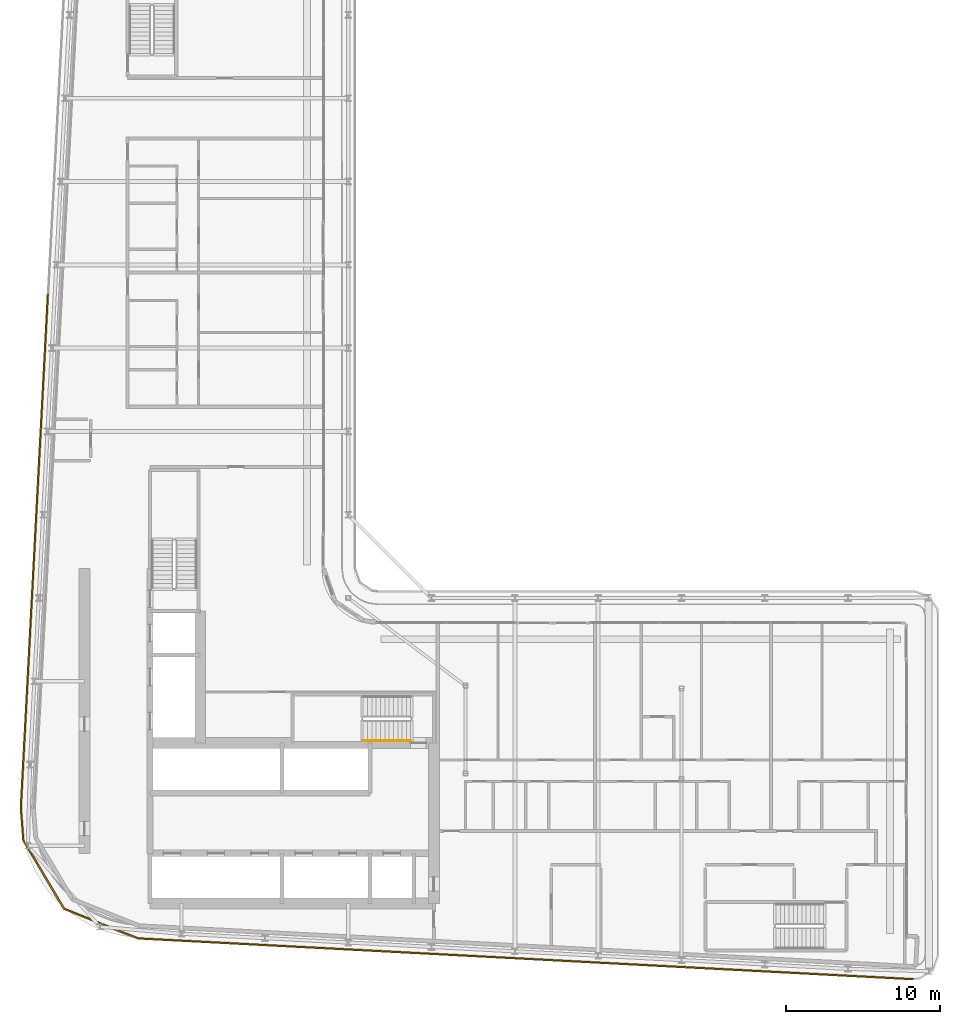
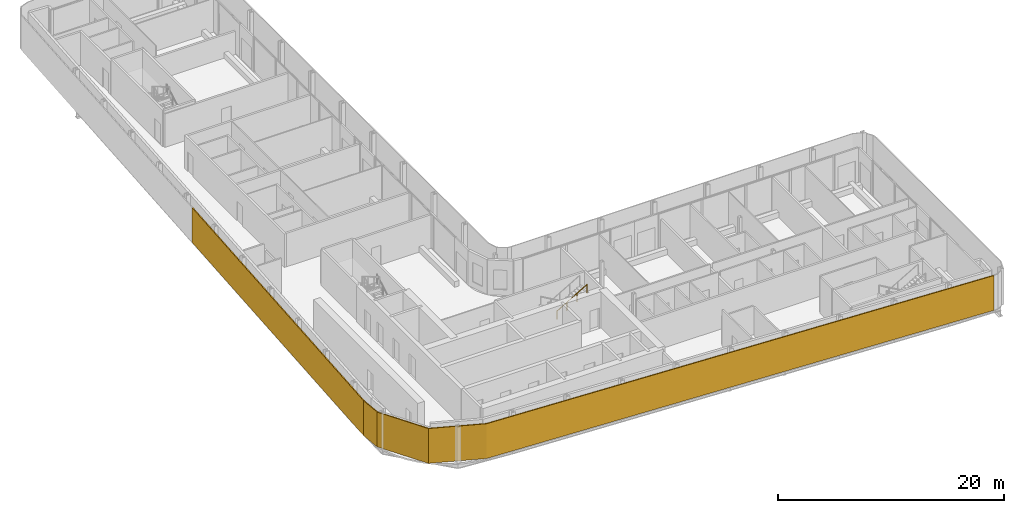
# One storey, part 16 of 22: 2 shading devices, 1 railing.
"""IFC4 building model written with IfcOpenShell, lengths in metres."""

from ifc_helpers import new_model, si_unit, direction, frame, origin, origin_2d, place, context, subcontext, project, spatial, polyline, rectangle, circle, outline, extrude, material, layer, layer_set, type_object, element, save


model = new_model("IFC4")

# Units and contexts
model_context = context("Model", 3, precision=1e-05, world=origin(), true_north=direction((0.0, 1.0)))
body_context = subcontext(model_context, "Body", "Model", "MODEL_VIEW")
ifc_project = project(units=[si_unit("LENGTHUNIT", "METRE"), si_unit("AREAUNIT", "SQUARE_METRE"), si_unit("VOLUMEUNIT", "CUBIC_METRE"), si_unit("PLANEANGLEUNIT", "RADIAN"), si_unit("MASSUNIT", "GRAM", prefix="KILO")], contexts=[model_context])

# Site, building, storey
site_placement = place(None, origin())
site = spatial("IfcSite", under=ifc_project, at=site_placement, CompositionType="ELEMENT")
building_placement = place(site_placement, origin())
building = spatial("IfcBuilding", under=site, at=building_placement, Name="Kheshtan School and Residences Tower", CompositionType="ELEMENT")
storey_placement = place(building_placement, frame((0.0, 0.0, 251.300048828125)))
storey = spatial("IfcBuildingStorey", under=building, at=storey_placement, Name="L59", CompositionType="ELEMENT", Elevation=251.300048828125)

# Shading devices
ifc_material_1 = material(Name="Terracotta baguette, extruded ceramic", Category="masonry")
ifc_layer = layer(ifc_material_1, 0.10009765625)
ifc_layer_set = layer_set([ifc_layer], Name="Ledge screen, terracotta baguettes")
shading_device_type = type_object("IfcShadingDeviceType", Name="Ledge screen, terracotta baguettes", PredefinedType="USERDEFINED", material=ifc_layer_set)
shading_device_1_placement = place(storey_placement, origin())
element("IfcShadingDevice", 1, at=shading_device_1_placement, inside=storey, type_object=shading_device_type, Name="Screen L59 3", ObjectType="BAGUETTE", PredefinedType="USERDEFINED", context=body_context, shape_type="SweptSolid", body=[
    extrude(outline(polyline([(84.220947265625, 20.93603515625), (33.989013671875, 23.580078125), (29.2119140625, 25.486083984375), (26.583984375, 29.906982421875), (26.419921875, 31.989013671875), (26.320068359375, 31.98095703125), (26.486083984375, 29.8759765625), (29.14306640625, 25.406005859375), (33.967041015625, 23.48095703125), (84.216064453125, 20.8359375), (84.220947265625, 20.93603515625)])), origin(), (0.0, 0.0, 1.0), 3.75),
])
shading_device_2_placement = place(storey_placement, frame((27.24609375, 48.638916015625, 0.0), z_axis=(0.0, 0.0, 1.0), x_axis=(0.052562536748, 0.998617634398, 0.0)))
element("IfcShadingDevice", 2, at=shading_device_2_placement, inside=storey, type_object=shading_device_type, Name="Screen L59 4", ObjectType="BAGUETTE", PredefinedType="USERDEFINED", context=body_context, shape_type="SweptSolid", body=[
    extrude(rectangle(XDim=33.341064453125, YDim=0.10009765625, at=origin_2d()), origin(), (0.0, 0.0, 1.0), 3.75),
])

# Railing
ifc_material_2 = material(Name="Stainless steel handrail", Category="steel")
railing_type = type_object("IfcRailingType", Name="Stair handrail 900", PredefinedType="HANDRAIL", material=ifc_material_2)
railing_placement = place(storey_placement, frame((48.570068359375, 36.35009765625, 2.112548828125)))
element("IfcRailing", 3, at=railing_placement, inside=storey, type_object=railing_type, Name="L59 ST1 stair handrail 2", PredefinedType="HANDRAIL", context=body_context, shape_type="SweptSolid", body=[
    extrude(circle(Radius=0.02392578125, at=origin_2d()), frame((0.0, 0.0, 0.8759765625), z_axis=(0.864903211148, 0.0, 0.501938676878), x_axis=(0.0, 1.0, 0.0)), (0.0, 0.0, 1.0), 3.560791015625),
    extrude(circle(Radius=0.02099609375, at=origin_2d()), origin(), (0.0, 0.0, 1.0), 0.851806640625),
    extrude(circle(Radius=0.02099609375, at=origin_2d()), frame((1.026611328125, 0.0, 0.595703125)), (0.0, 0.0, 1.0), 0.851806640625),
    extrude(circle(Radius=0.02099609375, at=origin_2d()), frame((2.05322265625, 0.0, 1.191650390625)), (0.0, 0.0, 1.0), 0.851806640625),
    extrude(circle(Radius=0.02099609375, at=origin_2d()), frame((3.079833984375, 0.0, 1.787353515625)), (0.0, 0.0, 1.0), 0.851806640625),
])

save(model, "model.ifc")
